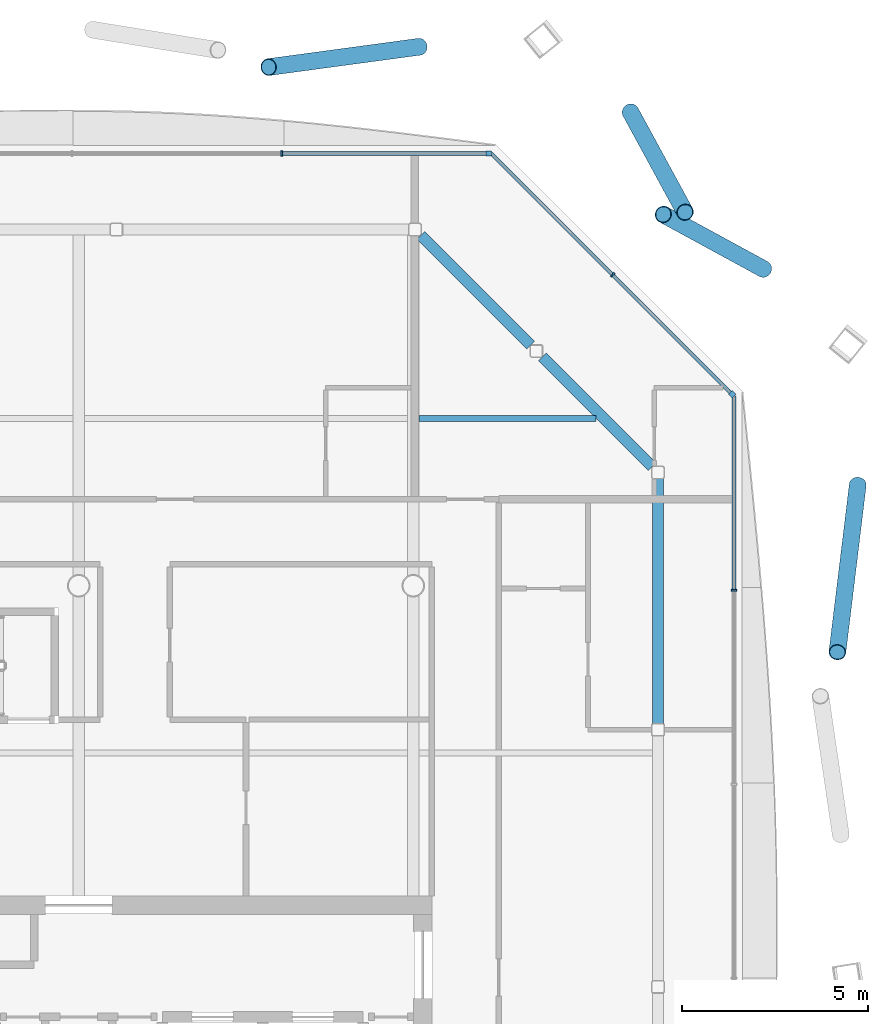
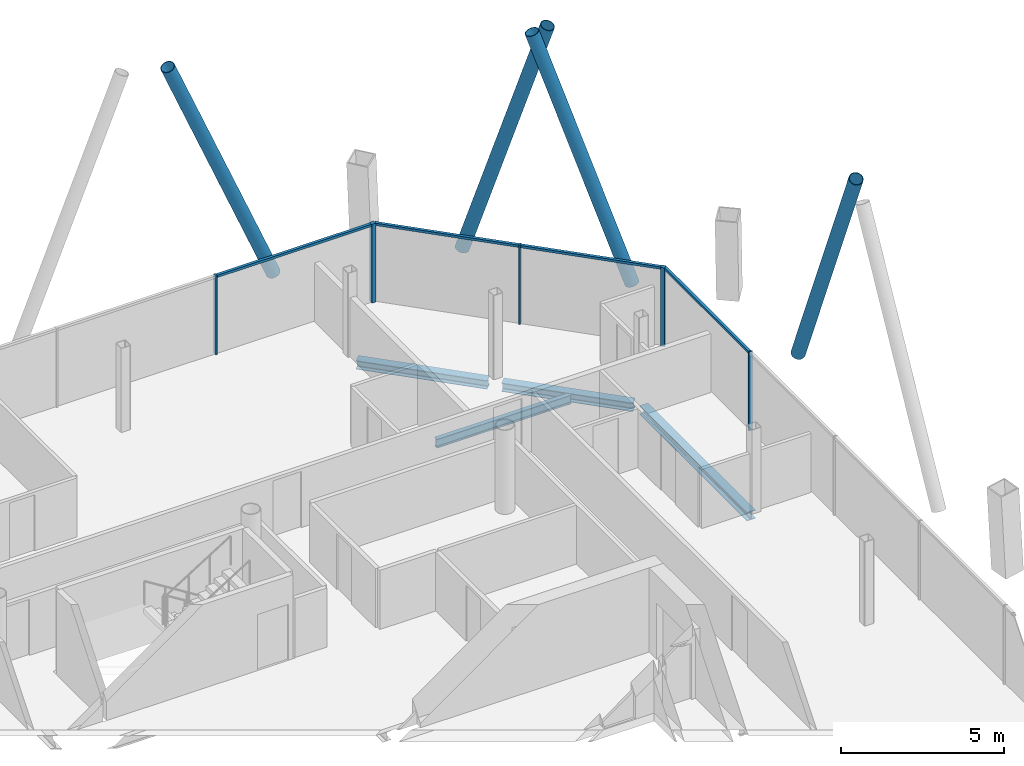
# One storey, part 12 of 20: 13 members, 4 beams, 3 elements without a shape of their own.
"""IFC4 building model written with IfcOpenShell, lengths in metres."""

from ifc_helpers import new_model, si_unit, direction, frame, origin, origin_2d, place, context, subcontext, project, spatial, rectangle, hollow_circle, i_section, extrude, material, material_profile, profile_set, type_object, element, aggregate, save


model = new_model("IFC4")

# Units and contexts
model_context = context("Model", 3, precision=1e-05, world=origin(), true_north=direction((0.0, 1.0)))
body_context = subcontext(model_context, "Body", "Model", "MODEL_VIEW")
ifc_project = project(units=[si_unit("LENGTHUNIT", "METRE"), si_unit("AREAUNIT", "SQUARE_METRE"), si_unit("VOLUMEUNIT", "CUBIC_METRE"), si_unit("PLANEANGLEUNIT", "RADIAN"), si_unit("MASSUNIT", "GRAM", prefix="KILO")], contexts=[model_context])

# Site, building, storey
site_placement = place(None, origin())
site = spatial("IfcSite", under=ifc_project, at=site_placement, CompositionType="ELEMENT")
building_placement = place(site_placement, origin())
building = spatial("IfcBuilding", under=site, at=building_placement, Name="Tskaro Facet Tower", CompositionType="ELEMENT")
storey_placement = place(building_placement, frame((0.0, 0.0, 181.64990234375)))
storey = spatial("IfcBuildingStorey", under=building, at=storey_placement, Name="L45", CompositionType="ELEMENT", Elevation=181.64990234375)

# Members
ifc_material_1 = material(Name="Steel S355J2H", Category="steel")
ifc_material_profile_1 = material_profile(ifc_material_1, hollow_circle(Radius=0.228515625, WallThickness=0.02001953125, at=origin_2d()), Name="CHS 457x20")
ifc_profile_set_1 = profile_set([ifc_material_profile_1], Name="Steel S355J2H")
member_type_1 = type_object("IfcMemberType", Name="CHS 457x20 brace", PredefinedType="BRACE", material=ifc_profile_set_1)
member_1_placement = place(storey_placement, frame((20.956787109375, 11.7138671875, 0.0), z_axis=(-0.052264514002, -0.429528595017, 0.901539575747), x_axis=(0.992678339937, -0.120787886065, 0.0)))
element("IfcMember", 1, at=member_1_placement, inside=storey, type_object=member_type_1, Name="CHS 457x20 XB05B/4", PredefinedType="BRACE", context=body_context, shape_type="SweptSolid", body=[
    extrude(hollow_circle(Radius=0.228515625, WallThickness=0.02001953125, at=origin_2d()), origin(), (0.0, 0.0, 1.0), 10.482177734375),
])
for number, where, z_axis, x_axis, name in (
    (2, (18.419677734375, 17.521728515625, 0.0), (-0.271222203776, 0.147675796765, 0.951120589215), (-0.478194179613, -0.878254135535, 0.0), "CHS 457x20 XB06A/4"),
    (3, (14.8447265625, 21.742919921875, 0.0), (0.147675796765, -0.271222203776, 0.951120589215), (0.878254135535, 0.478194179613, 0.0), "CHS 457x20 XB06B/4"),
):
    element("IfcMember", number, at=place(storey_placement, frame(where, z_axis=z_axis, x_axis=x_axis)), inside=storey, type_object=member_type_1, Name=name, PredefinedType="BRACE", context=body_context, shape_type="SweptSolid", body=[
        extrude(hollow_circle(Radius=0.228515625, WallThickness=0.02001953125, at=origin_2d()), origin(), (0.0, 0.0, 1.0), 9.935791015625),
    ])
member_2_placement = place(storey_placement, frame((9.162109375, 23.499755859375, 0.0), z_axis=(-0.393699044834, -0.0532012921, 0.91769858048), x_axis=(0.133914728079, -0.990992858503, 0.0)))
element("IfcMember", 4, at=member_2_placement, inside=storey, type_object=member_type_1, Name="CHS 457x20 XB07A/4", PredefinedType="BRACE", context=body_context, shape_type="SweptSolid", body=[
    extrude(hollow_circle(Radius=0.228515625, WallThickness=0.02001953125, at=origin_2d()), origin(), (0.0, 0.0, 1.0), 10.297607421875),
])

# Curtain wall, member
ifc_material_2 = material(Name="Bronze anodised aluminium 6063-T6", Category="aluminium")
curtain_wall_type = type_object("IfcCurtainWallType", Name="Bronze residence curtain wall (FW3)", PredefinedType="NOTDEFINED", material=ifc_material_2)
curtain_wall_1_placement = place(storey_placement, origin())
curtain_wall_1 = element("IfcCurtainWall", 5, at=curtain_wall_1_placement, inside=storey, type_object=curtain_wall_type, Name="FW3 north-east facet L45", PredefinedType="NOTDEFINED")
ifc_material_profile_2 = material_profile(ifc_material_2, rectangle(XDim=0.139892578125, YDim=0.139892578125, at=origin_2d()), Name="Corner post 140x140")
ifc_profile_set_2 = profile_set([ifc_material_profile_2], Name="Bronze anodised aluminium 6063-T6")
member_type_2 = type_object("IfcMemberType", Name="FW3 bronze corner post 140x140", PredefinedType="MULLION", material=ifc_profile_set_2)
member_3_placement = place(storey_placement, frame((17.57861328125, 14.1494140625, 0.0), z_axis=(0.0, 0.0, 1.0), x_axis=(-0.707106781187, 0.707106781187, 0.0)))
member_3 = element("IfcMember", 6, at=member_3_placement, type_object=member_type_2, Name="FW3 north-east corner post", PredefinedType="MULLION", context=body_context, shape_type="SweptSolid", body=[
    extrude(rectangle(XDim=0.139892578125, YDim=0.139892578125, at=origin_2d()), origin(), (0.0, 0.0, 1.0), 2.9501953125),
])

curtain_wall_2_placement = place(storey_placement, origin())
curtain_wall_2 = element("IfcCurtainWall", 7, at=curtain_wall_2_placement, inside=storey, type_object=curtain_wall_type, Name="FW3 north facet L45", PredefinedType="NOTDEFINED")
member_4_placement = place(storey_placement, frame((11.030029296875, 20.6279296875, 0.0), z_axis=(0.0, 0.0, 1.0), x_axis=(-1.0, 0.0, 0.0)))
member_4 = element("IfcMember", 8, at=member_4_placement, type_object=member_type_2, Name="FW3 north corner post", PredefinedType="MULLION", context=body_context, shape_type="SweptSolid", body=[
    extrude(rectangle(XDim=0.139892578125, YDim=0.139892578125, at=origin_2d()), origin(), (0.0, 0.0, 1.0), 2.9501953125),
])

curtain_wall_3_placement = place(storey_placement, origin())
curtain_wall_3 = element("IfcCurtainWall", 9, at=curtain_wall_3_placement, inside=storey, type_object=curtain_wall_type, Name="FW3 east facet L45", PredefinedType="NOTDEFINED")
ifc_material_profile_3 = material_profile(ifc_material_2, rectangle(XDim=0.050048828125, YDim=0.139892578125, at=origin_2d()), Name="Mullion 50x140")
ifc_profile_set_3 = profile_set([ifc_material_profile_3], Name="Bronze anodised aluminium 6063-T6")
member_type_3 = type_object("IfcMemberType", Name="FW3 bronze mullion 50x140", PredefinedType="MULLION", material=ifc_profile_set_3)
member_5_placement = place(storey_placement, frame((17.6279296875, 8.8818359375, 0.0), z_axis=(0.0, 0.0, 1.0), x_axis=(0.0, 1.0, 0.0)))
member_5 = element("IfcMember", 10, at=member_5_placement, type_object=member_type_3, Name="FW3 east mullion 5", PredefinedType="MULLION", context=body_context, shape_type="SweptSolid", body=[
    extrude(rectangle(XDim=0.050048828125, YDim=0.139892578125, at=origin_2d()), origin(), (0.0, 0.0, 1.0), 2.9501953125),
])

# Member
member_6_placement = place(storey_placement, frame((14.364013671875, 17.364013671875, 0.0), z_axis=(0.0, 0.0, 1.0), x_axis=(-0.707106781187, 0.707106781187, 0.0)))
member_6 = element("IfcMember", 11, at=member_6_placement, type_object=member_type_3, Name="FW3 north-east mullion 1", PredefinedType="MULLION", context=body_context, shape_type="SweptSolid", body=[
    extrude(rectangle(XDim=0.050048828125, YDim=0.139892578125, at=origin_2d()), origin(), (0.0, 0.0, 1.0), 2.9501953125),
])

member_7_placement = place(storey_placement, frame((5.4599609375, 20.6279296875, 0.0), z_axis=(0.0, 0.0, 1.0), x_axis=(-1.0, 0.0, 0.0)))
member_7 = element("IfcMember", 12, at=member_7_placement, type_object=member_type_3, Name="FW3 north mullion 1", PredefinedType="MULLION", context=body_context, shape_type="SweptSolid", body=[
    extrude(rectangle(XDim=0.050048828125, YDim=0.139892578125, at=origin_2d()), origin(), (0.0, 0.0, 1.0), 2.9501953125),
])

ifc_material_profile_4 = material_profile(ifc_material_2, rectangle(XDim=0.10009765625, YDim=0.090087890625, at=origin_2d()), Name="Transom 100x90")
ifc_profile_set_4 = profile_set([ifc_material_profile_4], Name="Bronze anodised aluminium 6063-T6")
member_type_4 = type_object("IfcMemberType", Name="FW3 bronze transom 100x90", PredefinedType="USERDEFINED", material=ifc_profile_set_4)
member_8_placement = place(storey_placement, frame((17.6279296875, 8.90673828125, 2.905029296875), z_axis=(0.0, 1.0, 0.0), x_axis=(-1.0, 0.0, 0.0)))
member_8 = element("IfcMember", 13, at=member_8_placement, type_object=member_type_4, Name="FW3 east transom 6.1", ObjectType="TRANSOM", PredefinedType="USERDEFINED", context=body_context, shape_type="SweptSolid", body=[
    extrude(rectangle(XDim=0.10009765625, YDim=0.090087890625, at=origin_2d()), origin(), (0.0, 0.0, 1.0), 5.193359375),
])

aggregate(curtain_wall_3, [member_5, member_8])

member_9_placement = place(storey_placement, frame((17.529052734375, 14.198974609375, 2.905029296875), z_axis=(-0.707106781187, 0.707106781187, 0.0), x_axis=(-0.707106781187, -0.707106781187, 0.0)))
member_9 = element("IfcMember", 14, at=member_9_placement, type_object=member_type_4, Name="FW3 north-east transom 1.1", ObjectType="TRANSOM", PredefinedType="USERDEFINED", context=body_context, shape_type="SweptSolid", body=[
    extrude(rectangle(XDim=0.10009765625, YDim=0.090087890625, at=origin_2d()), origin(), (0.0, 0.0, 1.0), 4.451171875),
])

member_10_placement = place(storey_placement, frame((14.346435546875, 17.381591796875, 2.905029296875), z_axis=(-0.707106781187, 0.707106781187, 0.0), x_axis=(-0.707106781187, -0.707106781187, 0.0)))
member_10 = element("IfcMember", 15, at=member_10_placement, type_object=member_type_4, Name="FW3 north-east transom 2.1", ObjectType="TRANSOM", PredefinedType="USERDEFINED", context=body_context, shape_type="SweptSolid", body=[
    extrude(rectangle(XDim=0.10009765625, YDim=0.090087890625, at=origin_2d()), origin(), (0.0, 0.0, 1.0), 4.591064453125),
])

aggregate(curtain_wall_1, [member_3, member_6, member_9, member_10])

member_11_placement = place(storey_placement, frame((10.9599609375, 20.6279296875, 2.905029296875), z_axis=(-1.0, 0.0, 0.0), x_axis=(0.0, -1.0, 0.0)))
member_11 = element("IfcMember", 16, at=member_11_placement, type_object=member_type_4, Name="FW3 north transom 1.1", ObjectType="TRANSOM", PredefinedType="USERDEFINED", context=body_context, shape_type="SweptSolid", body=[
    extrude(rectangle(XDim=0.10009765625, YDim=0.090087890625, at=origin_2d()), origin(), (0.0, 0.0, 1.0), 5.474853515625),
])

aggregate(curtain_wall_2, [member_4, member_7, member_11])

# Beams
ifc_material_3 = material(Name="Steel S355J2", Category="steel")
ifc_material_profile_5 = material_profile(ifc_material_3, i_section(OverallWidth=0.300048828125, OverallDepth=0.320068359375, WebThickness=0.011474609375, FlangeThickness=0.0205078125, FilletRadius=0.027099609375, at=origin_2d()), Name="HE 320 B")
ifc_profile_set_5 = profile_set([ifc_material_profile_5], Name="Steel S355J2")
beam_type_1 = type_object("IfcBeamType", Name="HE 320 B ring beam", PredefinedType="BEAM", material=ifc_profile_set_5)
beam_1_placement = place(storey_placement, frame((15.5830078125, 5.281005859375, -0.2998046875), z_axis=(0.0, 1.0, 0.0), x_axis=(-1.0, 0.0, 0.0)))
element("IfcBeam", 17, at=beam_1_placement, inside=storey, type_object=beam_type_1, Name="HE 320 B EB9-4", PredefinedType="BEAM", context=body_context, shape_type="SweptSolid", body=[
    extrude(i_section(OverallWidth=0.300048828125, OverallDepth=0.320068359375, WebThickness=0.011474609375, FlangeThickness=0.0205078125, FilletRadius=0.027099609375, at=origin_2d()), origin(), (0.0, 0.0, 1.0), 6.610107421875),
])
for number, where, z_axis, x_axis, name in (
    (18, (15.422119140625, 12.206787109375, -0.2998046875), (-0.70722393913, 0.706989603829, 0.0), (-0.706989603829, -0.70722393913, 0.0), "HE 320 B EB10-4"),
    (19, (12.153076171875, 15.474853515625, -0.2998046875), (-0.706989603829, 0.70722393913, 0.0), (-0.70722393913, -0.706989603829, 0.0), "HE 320 B EB11-4"),
):
    element("IfcBeam", number, at=place(storey_placement, frame(where, z_axis=z_axis, x_axis=x_axis)), inside=storey, type_object=beam_type_1, Name=name, PredefinedType="BEAM", context=body_context, shape_type="SweptSolid", body=[
        extrude(i_section(OverallWidth=0.300048828125, OverallDepth=0.320068359375, WebThickness=0.011474609375, FlangeThickness=0.0205078125, FilletRadius=0.027099609375, at=origin_2d()), origin(), (0.0, 0.0, 1.0), 4.16748046875),
    ])
ifc_material_profile_6 = material_profile(ifc_material_3, i_section(OverallWidth=0.159912109375, OverallDepth=0.330078125, WebThickness=0.007568359375, FlangeThickness=0.011474609375, FilletRadius=0.01806640625, at=origin_2d()), Name="IPE 330")
ifc_profile_set_6 = profile_set([ifc_material_profile_6], Name="Steel S355J2")
beam_type_2 = type_object("IfcBeamType", Name="IPE 330 secondary beam", PredefinedType="BEAM", material=ifc_profile_set_6)
beam_2_placement = place(storey_placement, frame((9.14990234375, 13.5, -0.304931640625), z_axis=(1.0, 0.0, 0.0), x_axis=(0.0, 1.0, 0.0)))
element("IfcBeam", 20, at=beam_2_placement, inside=storey, type_object=beam_type_2, Name="IPE 330 SB5a-5-4", PredefinedType="BEAM", context=body_context, shape_type="SweptSolid", body=[
    extrude(i_section(OverallWidth=0.159912109375, OverallDepth=0.330078125, WebThickness=0.007568359375, FlangeThickness=0.011474609375, FilletRadius=0.01806640625, at=origin_2d()), origin(), (0.0, 0.0, 1.0), 4.76708984375),
])

save(model, "model.ifc")
